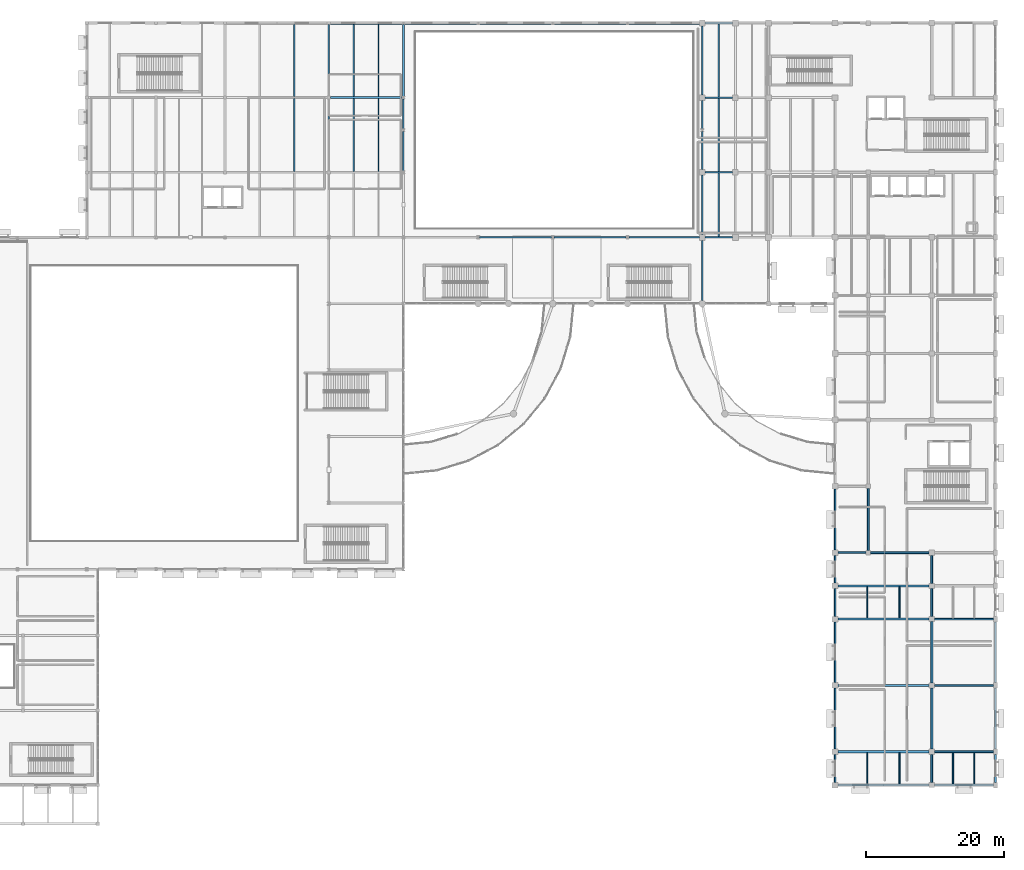
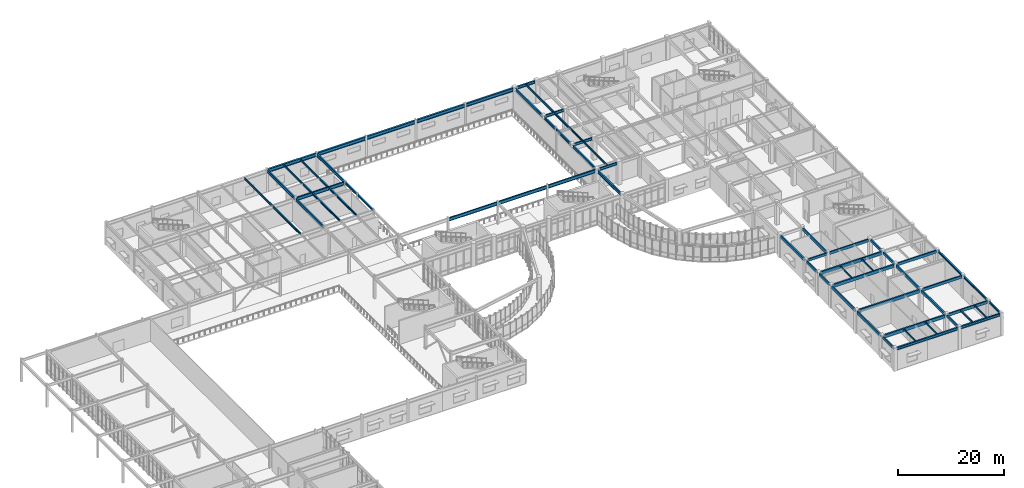
# One storey, part 30 of 72: 64 beams.
"""IFC4 building model written with IfcOpenShell, lengths in metres."""

from ifc_helpers import new_model, si_unit, direction, frame, origin, origin_2d, place, context, subcontext, project, spatial, rectangle, i_section, extrude, material, material_profile, profile_set, type_object, element, save


model = new_model("IFC4")

# Units and contexts
model_context = context("Model", 3, precision=1e-05, world=origin(), true_north=direction((0.0, 1.0)))
body_context = subcontext(model_context, "Body", "Model", "MODEL_VIEW")
ifc_project = project(units=[si_unit("LENGTHUNIT", "METRE"), si_unit("AREAUNIT", "SQUARE_METRE"), si_unit("VOLUMEUNIT", "CUBIC_METRE"), si_unit("PLANEANGLEUNIT", "RADIAN"), si_unit("MASSUNIT", "GRAM", prefix="KILO")], contexts=[model_context])

# Site, building, storey
site_placement = place(None, origin())
site = spatial("IfcSite", under=ifc_project, at=site_placement, CompositionType="ELEMENT")
building_placement = place(site_placement, origin())
building = spatial("IfcBuilding", under=site, at=building_placement, Name="Veldera Park Congress Hotel", CompositionType="ELEMENT")
storey_placement = place(building_placement, frame((0.0, 0.0, 5.39990234375)))
storey = spatial("IfcBuildingStorey", under=building, at=storey_placement, Name="L01", CompositionType="ELEMENT", Elevation=5.39990234375)

# Beams
ifc_material_1 = material(Name="Glulam GL28h (NDS 24F-V4)", Category="wood")
ifc_material_profile_1 = material_profile(ifc_material_1, rectangle(XDim=0.239990234375, YDim=0.5400390625, at=origin_2d()), Name="GL28h 240x540")
ifc_profile_set_1 = profile_set([ifc_material_profile_1], Name="Glulam GL28h (NDS 24F-V4)")
beam_type_1 = type_object("IfcBeamType", Name="BM-GL540", PredefinedType="BEAM", material=ifc_profile_set_1)
beam_1_placement = place(storey_placement, frame((61.199951171875, -18.60009765625, 4.860107421875), z_axis=(1.0, 0.0, 0.0), x_axis=(0.0, 1.0, 0.0)))
element("IfcBeam", 1, at=beam_1_placement, inside=storey, type_object=beam_type_1, Name="L01 Girder BM-GL540 577", PredefinedType="BEAM", context=body_context, shape_type="SweptSolid", body=[
    extrude(rectangle(XDim=0.239990234375, YDim=0.5400390625, at=origin_2d()), origin(), (0.0, 0.0, 1.0), 4.074951171875),
])
for number, where, z_axis, x_axis, name in (
    (2, (60.800048828125, -51.800048828125, 4.860107421875), (0.0, 1.0, 0.0), (-1.0, 0.0, 0.0), "L01 Girder BM-GL540 722"),
    (3, (60.800048828125, -27.800048828125, 4.860107421875), (0.0, 1.0, 0.0), (-1.0, 0.0, 0.0), "L01 Girder BM-GL540 725"),
    (4, (60.800048828125, -23.0, 4.860107421875), (0.0, 1.0, 0.0), (-1.0, 0.0, 0.0), "L01 Girder BM-GL540 726"),
):
    element("IfcBeam", number, at=place(storey_placement, frame(where, z_axis=z_axis, x_axis=x_axis)), inside=storey, type_object=beam_type_1, Name=name, PredefinedType="BEAM", context=body_context, shape_type="SweptSolid", body=[
        extrude(rectangle(XDim=0.239990234375, YDim=0.5400390625, at=origin_2d()), origin(), (0.0, 0.0, 1.0), 4.0),
    ])
for number, where, z_axis, x_axis, name in (
    (5, (74.800048828125, -51.824951171875, 4.860107421875), (0.0, 1.0, 0.0), (-1.0, 0.0, 0.0), "L01 Girder BM-GL540 740"),
    (6, (74.800048828125, -27.824951171875, 4.860107421875), (0.0, 1.0, 0.0), (-1.0, 0.0, 0.0), "L01 Girder BM-GL540 743"),
):
    element("IfcBeam", number, at=place(storey_placement, frame(where, z_axis=z_axis, x_axis=x_axis)), inside=storey, type_object=beam_type_1, Name=name, PredefinedType="BEAM", context=body_context, shape_type="SweptSolid", body=[
        extrude(rectangle(XDim=0.239990234375, YDim=0.5400390625, at=origin_2d()), origin(), (0.0, 0.0, 1.0), 4.050048828125),
    ])
beam_2_placement = place(storey_placement, frame((74.800048828125, -23.02490234375, 4.860107421875), z_axis=(0.0, 1.0, 0.0), x_axis=(-1.0, 0.0, 0.0)))
element("IfcBeam", 7, at=beam_2_placement, inside=storey, type_object=beam_type_1, Name="L01 Girder BM-GL540 744", PredefinedType="BEAM", context=body_context, shape_type="SweptSolid", body=[
    extrude(rectangle(XDim=0.239990234375, YDim=0.5400390625, at=origin_2d()), origin(), (0.0, 0.0, 1.0), 4.0498046875),
])
ifc_material_profile_2 = material_profile(ifc_material_1, rectangle(XDim=0.264892578125, YDim=0.6201171875, at=origin_2d()), Name="GL28h 265x620")
ifc_profile_set_2 = profile_set([ifc_material_profile_2], Name="Glulam GL28h (NDS 24F-V4)")
beam_type_2 = type_object("IfcBeamType", Name="BM-GL620", PredefinedType="BEAM", material=ifc_profile_set_2)
for number, where, z_axis, x_axis, name in (
    (8, (75.175048828125, -47.39990234375, 4.820068359375), (1.0, 0.0, 0.0), (0.0, 1.0, 0.0), "L01 Girder BM-GL620 556"),
    (9, (75.175048828125, -37.800048828125, 4.820068359375), (1.0, 0.0, 0.0), (0.0, 1.0, 0.0), "L01 Girder BM-GL620 561"),
    (10, (75.175048828125, -28.199951171875, 4.820068359375), (1.0, 0.0, 0.0), (0.0, 1.0, 0.0), "L01 Girder BM-GL620 566"),
):
    element("IfcBeam", number, at=place(storey_placement, frame(where, z_axis=z_axis, x_axis=x_axis)), inside=storey, type_object=beam_type_2, Name=name, PredefinedType="BEAM", context=body_context, shape_type="SweptSolid", body=[
        extrude(rectangle(XDim=0.264892578125, YDim=0.6201171875, at=origin_2d()), origin(), (0.0, 0.0, 1.0), 8.550048828125),
    ])
beam_3_placement = place(storey_placement, frame((65.925048828125, -18.60009765625, 4.820068359375), z_axis=(1.0, 0.0, 0.0), x_axis=(0.0, 1.0, 0.0)))
element("IfcBeam", 11, at=beam_3_placement, inside=storey, type_object=beam_type_2, Name="L01 Girder BM-GL620 578", PredefinedType="BEAM", context=body_context, shape_type="SweptSolid", body=[
    extrude(rectangle(XDim=0.264892578125, YDim=0.6201171875, at=origin_2d()), origin(), (0.0, 0.0, 1.0), 8.5),
])
ifc_material_profile_3 = material_profile(ifc_material_1, rectangle(XDim=0.280029296875, YDim=0.639892578125, at=origin_2d()), Name="GL28h 280x640")
ifc_profile_set_3 = profile_set([ifc_material_profile_3], Name="Glulam GL28h (NDS 24F-V4)")
beam_type_3 = type_object("IfcBeamType", Name="BM-GL640", PredefinedType="BEAM", material=ifc_profile_set_3)
beam_4_placement = place(storey_placement, frame((60.800048828125, -47.0, 4.81005859375), z_axis=(0.0, 1.0, 0.0), x_axis=(-1.0, 0.0, 0.0)))
element("IfcBeam", 12, at=beam_4_placement, inside=storey, type_object=beam_type_3, Name="L01 Girder BM-GL640 723", PredefinedType="BEAM", context=body_context, shape_type="SweptSolid", body=[
    extrude(rectangle(XDim=0.280029296875, YDim=0.639892578125, at=origin_2d()), origin(), (0.0, 0.0, 1.0), 8.800048828125),
])
beam_5_placement = place(storey_placement, frame((60.800048828125, -37.39990234375, 4.81005859375), z_axis=(0.0, 1.0, 0.0), x_axis=(-1.0, 0.0, 0.0)))
element("IfcBeam", 13, at=beam_5_placement, inside=storey, type_object=beam_type_3, Name="L01 Girder BM-GL640 724", PredefinedType="BEAM", context=body_context, shape_type="SweptSolid", body=[
    extrude(rectangle(XDim=0.280029296875, YDim=0.639892578125, at=origin_2d()), origin(), (0.0, 0.0, 1.0), 8.7998046875),
])
beam_6_placement = place(storey_placement, frame((60.800048828125, -18.199951171875, 4.81005859375), z_axis=(0.0, 1.0, 0.0), x_axis=(-1.0, 0.0, 0.0)))
element("IfcBeam", 14, at=beam_6_placement, inside=storey, type_object=beam_type_3, Name="L01 Girder BM-GL640 727", PredefinedType="BEAM", context=body_context, shape_type="SweptSolid", body=[
    extrude(rectangle(XDim=0.280029296875, YDim=0.639892578125, at=origin_2d()), origin(), (0.0, 0.0, 1.0), 8.800048828125),
])
beam_7_placement = place(storey_placement, frame((65.60009765625, -18.27490234375, 4.81005859375), z_axis=(0.0, 1.0, 0.0), x_axis=(-1.0, 0.0, 0.0)))
element("IfcBeam", 15, at=beam_7_placement, inside=storey, type_object=beam_type_3, Name="L01 Girder BM-GL640 734", PredefinedType="BEAM", context=body_context, shape_type="SweptSolid", body=[
    extrude(rectangle(XDim=0.280029296875, YDim=0.639892578125, at=origin_2d()), origin(), (0.0, 0.0, 1.0), 8.949951171875),
])
beam_8_placement = place(storey_placement, frame((74.800048828125, -47.02490234375, 4.81005859375), z_axis=(0.0, 1.0, 0.0), x_axis=(-1.0, 0.0, 0.0)))
element("IfcBeam", 16, at=beam_8_placement, inside=storey, type_object=beam_type_3, Name="L01 Girder BM-GL640 741", PredefinedType="BEAM", context=body_context, shape_type="SweptSolid", body=[
    extrude(rectangle(XDim=0.280029296875, YDim=0.639892578125, at=origin_2d()), origin(), (0.0, 0.0, 1.0), 8.849853515625),
])
beam_9_placement = place(storey_placement, frame((74.800048828125, -37.425048828125, 4.81005859375), z_axis=(0.0, 1.0, 0.0), x_axis=(-1.0, 0.0, 0.0)))
element("IfcBeam", 17, at=beam_9_placement, inside=storey, type_object=beam_type_3, Name="L01 Girder BM-GL640 742", PredefinedType="BEAM", context=body_context, shape_type="SweptSolid", body=[
    extrude(rectangle(XDim=0.280029296875, YDim=0.639892578125, at=origin_2d()), origin(), (0.0, 0.0, 1.0), 8.85009765625),
])
ifc_material_profile_4 = material_profile(ifc_material_1, rectangle(XDim=0.31494140625, YDim=0.719970703125, at=origin_2d()), Name="GL28h 315x720")
ifc_profile_set_4 = profile_set([ifc_material_profile_4], Name="Glulam GL28h (NDS 24F-V4)")
beam_type_4 = type_object("IfcBeamType", Name="BM-GL720", PredefinedType="BEAM", material=ifc_profile_set_4)
for number, where, z_axis, x_axis, name in (
    (18, (61.199951171875, -47.39990234375, 4.77001953125), (1.0, 0.0, 0.0), (0.0, 1.0, 0.0), "L01 Girder BM-GL720 555"),
    (19, (61.199951171875, -37.800048828125, 4.77001953125), (1.0, 0.0, 0.0), (0.0, 1.0, 0.0), "L01 Girder BM-GL720 560"),
    (20, (61.199951171875, -28.199951171875, 4.77001953125), (1.0, 0.0, 0.0), (0.0, 1.0, 0.0), "L01 Girder BM-GL720 565"),
    (21, (61.199951171875, -23.39990234375, 4.77001953125), (1.0, 0.0, 0.0), (0.0, 1.0, 0.0), "L01 Girder BM-GL720 567"),
):
    element("IfcBeam", number, at=place(storey_placement, frame(where, z_axis=z_axis, x_axis=x_axis)), inside=storey, type_object=beam_type_4, Name=name, PredefinedType="BEAM", context=body_context, shape_type="SweptSolid", body=[
        extrude(rectangle(XDim=0.31494140625, YDim=0.719970703125, at=origin_2d()), origin(), (0.0, 0.0, 1.0), 13.22509765625),
    ])
ifc_material_2 = material(Name="Steel ASTM A992 Gr.50", Category="steel")
ifc_material_profile_5 = material_profile(ifc_material_2, i_section(OverallWidth=0.2119140625, OverallDepth=0.5439453125, WebThickness=0.01318359375, FlangeThickness=0.021240234375, at=origin_2d()), Name="W21X83")
ifc_profile_set_5 = profile_set([ifc_material_profile_5], Name="Steel ASTM A992 Gr.50")
beam_type_5 = type_object("IfcBeamType", Name="BM-W21C", PredefinedType="BEAM", material=ifc_profile_set_5)
beam_10_placement = place(storey_placement, frame((-1.60009765625, 36.590576171875, 4.858154296875), z_axis=(0.0, 1.0, 0.0), x_axis=(-1.0, 0.0, 0.0)))
element("IfcBeam", 22, at=beam_10_placement, inside=storey, type_object=beam_type_5, Name="L01 Girder BM-W21C 706", PredefinedType="BEAM", context=body_context, shape_type="SweptSolid", body=[
    extrude(i_section(OverallWidth=0.2119140625, OverallDepth=0.5439453125, WebThickness=0.01318359375, FlangeThickness=0.021240234375, at=origin_2d()), origin(), (0.0, 0.0, 1.0), 5.718994140625),
])
beam_11_placement = place(storey_placement, frame((-1.60009765625, 42.6904296875, 4.858154296875), z_axis=(0.0, 1.0, 0.0), x_axis=(-1.0, 0.0, 0.0)))
element("IfcBeam", 23, at=beam_11_placement, inside=storey, type_object=beam_type_5, Name="L01 Girder BM-W21C 707", PredefinedType="BEAM", context=body_context, shape_type="SweptSolid", body=[
    extrude(i_section(OverallWidth=0.2119140625, OverallDepth=0.5439453125, WebThickness=0.01318359375, FlangeThickness=0.021240234375, at=origin_2d()), origin(), (0.0, 0.0, 1.0), 4.319091796875),
])
beam_12_placement = place(storey_placement, frame((41.60009765625, 36.800048828125, 4.858154296875), z_axis=(0.0, 1.0, 0.0), x_axis=(-1.0, 0.0, 0.0)))
element("IfcBeam", 24, at=beam_12_placement, inside=storey, type_object=beam_type_5, Name="L01 Girder BM-W21C 712", PredefinedType="BEAM", context=body_context, shape_type="SweptSolid", body=[
    extrude(i_section(OverallWidth=0.2119140625, OverallDepth=0.5439453125, WebThickness=0.01318359375, FlangeThickness=0.021240234375, at=origin_2d()), origin(), (0.0, 0.0, 1.0), 5.509521484375),
])
beam_13_placement = place(storey_placement, frame((41.60009765625, 42.6904296875, 4.858154296875), z_axis=(0.0, 1.0, 0.0), x_axis=(-1.0, 0.0, 0.0)))
element("IfcBeam", 25, at=beam_13_placement, inside=storey, type_object=beam_type_5, Name="L01 Girder BM-W21C 713", PredefinedType="BEAM", context=body_context, shape_type="SweptSolid", body=[
    extrude(i_section(OverallWidth=0.2119140625, OverallDepth=0.5439453125, WebThickness=0.01318359375, FlangeThickness=0.021240234375, at=origin_2d()), origin(), (0.0, 0.0, 1.0), 4.109619140625),
])
ifc_material_profile_6 = material_profile(ifc_material_2, i_section(OverallWidth=0.22900390625, OverallDepth=0.612060546875, WebThickness=0.011962890625, FlangeThickness=0.01953125, at=origin_2d()), Name="W24X84")
ifc_profile_set_6 = profile_set([ifc_material_profile_6], Name="Steel ASTM A992 Gr.50")
beam_type_6 = type_object("IfcBeamType", Name="BM-W24", PredefinedType="BEAM", material=ifc_profile_set_6)
beam_14_placement = place(storey_placement, frame((42.02490234375, 27.0, 4.82421875), z_axis=(1.0, 0.0, 0.0), x_axis=(0.0, 1.0, 0.0)))
element("IfcBeam", 26, at=beam_14_placement, inside=storey, type_object=beam_type_6, Name="L01 Girder BM-W24 621", PredefinedType="BEAM", context=body_context, shape_type="SweptSolid", body=[
    extrude(i_section(OverallWidth=0.22900390625, OverallDepth=0.612060546875, WebThickness=0.011962890625, FlangeThickness=0.01953125, at=origin_2d()), origin(), (0.0, 0.0, 1.0), 3.9501953125),
])
for number, where, z_axis, x_axis, name in (
    (27, (42.0, 36.39990234375, 4.82421875), (1.0, 0.0, 0.0), (0.0, 1.0, 0.0), "L01 Girder BM-W24 631"),
    (28, (42.0, 47.199951171875, 4.82421875), (1.0, 0.0, 0.0), (0.0, 1.0, 0.0), "L01 Girder BM-W24 641"),
):
    element("IfcBeam", number, at=place(storey_placement, frame(where, z_axis=z_axis, x_axis=x_axis)), inside=storey, type_object=beam_type_6, Name=name, PredefinedType="BEAM", context=body_context, shape_type="SweptSolid", body=[
        extrude(i_section(OverallWidth=0.22900390625, OverallDepth=0.612060546875, WebThickness=0.011962890625, FlangeThickness=0.01953125, at=origin_2d()), origin(), (0.0, 0.0, 1.0), 4.0),
    ])
ifc_material_profile_7 = material_profile(ifc_material_2, i_section(OverallWidth=0.22998046875, OverallDepth=0.616943359375, WebThickness=0.01318359375, FlangeThickness=0.022216796875, at=origin_2d()), Name="W24X94")
ifc_profile_set_7 = profile_set([ifc_material_profile_7], Name="Steel ASTM A992 Gr.50")
beam_type_7 = type_object("IfcBeamType", Name="BM-W24B", PredefinedType="BEAM", material=ifc_profile_set_7)
beam_15_placement = place(storey_placement, frame((41.60009765625, 27.425048828125, 4.821533203125), z_axis=(0.0, 1.0, 0.0), x_axis=(-1.0, 0.0, 0.0)))
element("IfcBeam", 29, at=beam_15_placement, inside=storey, type_object=beam_type_7, Name="L01 Girder BM-W24B 711", PredefinedType="BEAM", context=body_context, shape_type="SweptSolid", body=[
    extrude(i_section(OverallWidth=0.22998046875, OverallDepth=0.616943359375, WebThickness=0.01318359375, FlangeThickness=0.022216796875, at=origin_2d()), origin(), (0.0, 0.0, 1.0), 8.574951171875),
])
ifc_material_profile_8 = material_profile(ifc_material_2, i_section(OverallWidth=0.323974609375, OverallDepth=0.612060546875, WebThickness=0.0126953125, FlangeThickness=0.01904296875, at=origin_2d()), Name="W24X104")
ifc_profile_set_8 = profile_set([ifc_material_profile_8], Name="Steel ASTM A992 Gr.50")
beam_type_8 = type_object("IfcBeamType", Name="BM-W24E", PredefinedType="BEAM", material=ifc_profile_set_8)
beam_16_placement = place(storey_placement, frame((42.02490234375, 58.0, 4.82421875), z_axis=(1.0, 0.0, 0.0), x_axis=(0.0, 1.0, 0.0)))
element("IfcBeam", 30, at=beam_16_placement, inside=storey, type_object=beam_type_8, Name="L01 Girder BM-W24E 653", PredefinedType="BEAM", context=body_context, shape_type="SweptSolid", body=[
    extrude(i_section(OverallWidth=0.323974609375, OverallDepth=0.612060546875, WebThickness=0.0126953125, FlangeThickness=0.01904296875, at=origin_2d()), origin(), (0.0, 0.0, 1.0), 3.9501953125),
])
ifc_material_profile_9 = material_profile(ifc_material_2, i_section(OverallWidth=0.256103515625, OverallDepth=0.693115234375, WebThickness=0.014404296875, FlangeThickness=0.023681640625, at=origin_2d()), Name="W27X114")
ifc_profile_set_9 = profile_set([ifc_material_profile_9], Name="Steel ASTM A992 Gr.50")
beam_type_9 = type_object("IfcBeamType", Name="BM-W27", PredefinedType="BEAM", material=ifc_profile_set_9)
beam_17_placement = place(storey_placement, frame((-12.39990234375, 36.625, 4.78369140625), z_axis=(0.0, 1.0, 0.0), x_axis=(-1.0, 0.0, 0.0)))
element("IfcBeam", 31, at=beam_17_placement, inside=storey, type_object=beam_type_9, Name="L01 Girder BM-W27 698", PredefinedType="BEAM", context=body_context, shape_type="SweptSolid", body=[
    extrude(i_section(OverallWidth=0.256103515625, OverallDepth=0.693115234375, WebThickness=0.014404296875, FlangeThickness=0.023681640625, at=origin_2d()), origin(), (0.0, 0.0, 1.0), 10.35009765625),
])
beam_18_placement = place(storey_placement, frame((-12.39990234375, 47.425048828125, 4.78369140625), z_axis=(0.0, 1.0, 0.0), x_axis=(-1.0, 0.0, 0.0)))
element("IfcBeam", 32, at=beam_18_placement, inside=storey, type_object=beam_type_9, Name="L01 Girder BM-W27 699", PredefinedType="BEAM", context=body_context, shape_type="SweptSolid", body=[
    extrude(i_section(OverallWidth=0.256103515625, OverallDepth=0.693115234375, WebThickness=0.014404296875, FlangeThickness=0.023681640625, at=origin_2d()), origin(), (0.0, 0.0, 1.0), 10.349853515625),
])
beam_19_placement = place(storey_placement, frame((-1.60009765625, 47.390380859375, 4.78369140625), z_axis=(0.0, 1.0, 0.0), x_axis=(-1.0, 0.0, 0.0)))
element("IfcBeam", 33, at=beam_19_placement, inside=storey, type_object=beam_type_9, Name="L01 Girder BM-W27 708", PredefinedType="BEAM", context=body_context, shape_type="SweptSolid", body=[
    extrude(i_section(OverallWidth=0.256103515625, OverallDepth=0.693115234375, WebThickness=0.014404296875, FlangeThickness=0.023681640625, at=origin_2d()), origin(), (0.0, 0.0, 1.0), 10.4130859375),
])
beam_20_placement = place(storey_placement, frame((41.60009765625, 17.875, 4.78369140625), z_axis=(0.0, 1.0, 0.0), x_axis=(-1.0, 0.0, 0.0)))
element("IfcBeam", 34, at=beam_20_placement, inside=storey, type_object=beam_type_9, Name="L01 Girder BM-W27 710", PredefinedType="BEAM", context=body_context, shape_type="SweptSolid", body=[
    extrude(i_section(OverallWidth=0.256103515625, OverallDepth=0.693115234375, WebThickness=0.014404296875, FlangeThickness=0.023681640625, at=origin_2d()), origin(), (0.0, 0.0, 1.0), 8.699951171875),
])
beam_21_placement = place(storey_placement, frame((41.60009765625, 47.60009765625, 4.78369140625), z_axis=(0.0, 1.0, 0.0), x_axis=(-1.0, 0.0, 0.0)))
element("IfcBeam", 35, at=beam_21_placement, inside=storey, type_object=beam_type_9, Name="L01 Girder BM-W27 714", PredefinedType="BEAM", context=body_context, shape_type="SweptSolid", body=[
    extrude(i_section(OverallWidth=0.256103515625, OverallDepth=0.693115234375, WebThickness=0.014404296875, FlangeThickness=0.023681640625, at=origin_2d()), origin(), (0.0, 0.0, 1.0), 9.974853515625),
])
ifc_material_profile_10 = material_profile(ifc_material_2, i_section(OverallWidth=0.26708984375, OverallDepth=0.779052734375, WebThickness=0.0166015625, FlangeThickness=0.030029296875, at=origin_2d()), Name="W30X148")
ifc_profile_set_10 = profile_set([ifc_material_profile_10], Name="Steel ASTM A992 Gr.50")
beam_type_10 = type_object("IfcBeamType", Name="BM-W30", PredefinedType="BEAM", material=ifc_profile_set_10)
for number, where, z_axis, x_axis, name in (
    (36, (9.3984375, 27.0, 4.740478515625), (1.0, 0.0, 0.0), (0.0, 1.0, 0.0), "L01 Girder BM-W30 618"),
    (37, (20.198486328125, 27.0, 4.740478515625), (1.0, 0.0, 0.0), (0.0, 1.0, 0.0), "L01 Girder BM-W30 619"),
):
    element("IfcBeam", number, at=place(storey_placement, frame(where, z_axis=z_axis, x_axis=x_axis)), inside=storey, type_object=beam_type_10, Name=name, PredefinedType="BEAM", context=body_context, shape_type="SweptSolid", body=[
        extrude(i_section(OverallWidth=0.26708984375, OverallDepth=0.779052734375, WebThickness=0.0166015625, FlangeThickness=0.030029296875, at=origin_2d()), origin(), (0.0, 0.0, 1.0), 10.403076171875),
    ])
beam_22_placement = place(storey_placement, frame((30.99853515625, 27.0, 4.740478515625), z_axis=(1.0, 0.0, 0.0), x_axis=(0.0, 1.0, 0.0)))
element("IfcBeam", 38, at=beam_22_placement, inside=storey, type_object=beam_type_10, Name="L01 Girder BM-W30 620", PredefinedType="BEAM", context=body_context, shape_type="SweptSolid", body=[
    extrude(i_section(OverallWidth=0.26708984375, OverallDepth=0.779052734375, WebThickness=0.0166015625, FlangeThickness=0.030029296875, at=origin_2d()), origin(), (0.0, 0.0, 1.0), 10.176513671875),
])
beam_23_placement = place(storey_placement, frame((-12.175048828125, 47.199951171875, 4.740478515625), z_axis=(1.0, 0.0, 0.0), x_axis=(0.0, 1.0, 0.0)))
element("IfcBeam", 39, at=beam_23_placement, inside=storey, type_object=beam_type_10, Name="L01 Girder BM-W30 640", PredefinedType="BEAM", context=body_context, shape_type="SweptSolid", body=[
    extrude(i_section(OverallWidth=0.26708984375, OverallDepth=0.779052734375, WebThickness=0.0166015625, FlangeThickness=0.030029296875, at=origin_2d()), origin(), (0.0, 0.0, 1.0), 10.376953125),
])
ifc_material_profile_11 = material_profile(ifc_material_2, i_section(OverallWidth=0.382080078125, OverallDepth=0.779052734375, WebThickness=0.01806640625, FlangeThickness=0.030029296875, at=origin_2d()), Name="W30X191")
ifc_profile_set_11 = profile_set([ifc_material_profile_11], Name="Steel ASTM A992 Gr.50")
beam_type_11 = type_object("IfcBeamType", Name="BM-W30E", PredefinedType="BEAM", material=ifc_profile_set_11)
beam_24_placement = place(storey_placement, frame((-12.175048828125, 58.0, 4.740478515625), z_axis=(1.0, 0.0, 0.0), x_axis=(0.0, 1.0, 0.0)))
element("IfcBeam", 40, at=beam_24_placement, inside=storey, type_object=beam_type_11, Name="L01 Girder BM-W30E 648", PredefinedType="BEAM", context=body_context, shape_type="SweptSolid", body=[
    extrude(i_section(OverallWidth=0.382080078125, OverallDepth=0.779052734375, WebThickness=0.01806640625, FlangeThickness=0.030029296875, at=origin_2d()), origin(), (0.0, 0.0, 1.0), 10.37548828125),
])
beam_25_placement = place(storey_placement, frame((-1.400390625, 58.0, 4.740478515625), z_axis=(1.0, 0.0, 0.0), x_axis=(0.0, 1.0, 0.0)))
element("IfcBeam", 41, at=beam_25_placement, inside=storey, type_object=beam_type_11, Name="L01 Girder BM-W30E 649", PredefinedType="BEAM", context=body_context, shape_type="SweptSolid", body=[
    extrude(i_section(OverallWidth=0.382080078125, OverallDepth=0.779052734375, WebThickness=0.01806640625, FlangeThickness=0.030029296875, at=origin_2d()), origin(), (0.0, 0.0, 1.0), 10.40087890625),
])
for number, where, z_axis, x_axis, name in (
    (42, (9.3994140625, 58.0, 4.740478515625), (1.0, 0.0, 0.0), (0.0, 1.0, 0.0), "L01 Girder BM-W30E 650"),
    (43, (20.199462890625, 58.0, 4.740478515625), (1.0, 0.0, 0.0), (0.0, 1.0, 0.0), "L01 Girder BM-W30E 651"),
):
    element("IfcBeam", number, at=place(storey_placement, frame(where, z_axis=z_axis, x_axis=x_axis)), inside=storey, type_object=beam_type_11, Name=name, PredefinedType="BEAM", context=body_context, shape_type="SweptSolid", body=[
        extrude(i_section(OverallWidth=0.382080078125, OverallDepth=0.779052734375, WebThickness=0.01806640625, FlangeThickness=0.030029296875, at=origin_2d()), origin(), (0.0, 0.0, 1.0), 10.401123046875),
    ])
beam_26_placement = place(storey_placement, frame((30.99951171875, 58.0, 4.740478515625), z_axis=(1.0, 0.0, 0.0), x_axis=(0.0, 1.0, 0.0)))
element("IfcBeam", 44, at=beam_26_placement, inside=storey, type_object=beam_type_11, Name="L01 Girder BM-W30E 652", PredefinedType="BEAM", context=body_context, shape_type="SweptSolid", body=[
    extrude(i_section(OverallWidth=0.382080078125, OverallDepth=0.779052734375, WebThickness=0.01806640625, FlangeThickness=0.030029296875, at=origin_2d()), origin(), (0.0, 0.0, 1.0), 10.175537109375),
])
ifc_material_profile_12 = material_profile(ifc_material_1, rectangle(XDim=0.179931640625, YDim=0.360107421875, at=origin_2d()), Name="GL28h 180x360")
ifc_profile_set_12 = profile_set([ifc_material_profile_12], Name="Glulam GL28h (NDS 24F-V4)")
beam_type_12 = type_object("IfcBeamType", Name="JST-GL360", PredefinedType="JOIST", material=ifc_profile_set_12)
for number, where, z_axis, x_axis, name in (
    (45, (65.466796875, -52.0380859375, 4.9501953125), (0.0, 1.0, 0.0), (-1.0, 0.0, 0.0), "L01 Floor Joist JST-GL360 768"),
    (46, (70.13330078125, -52.0380859375, 4.9501953125), (0.0, 1.0, 0.0), (-1.0, 0.0, 0.0), "L01 Floor Joist JST-GL360 769"),
):
    element("IfcBeam", number, at=place(storey_placement, frame(where, z_axis=z_axis, x_axis=x_axis)), inside=storey, type_object=beam_type_12, Name=name, PredefinedType="JOIST", context=body_context, shape_type="SweptSolid", body=[
        extrude(rectangle(XDim=0.179931640625, YDim=0.360107421875, at=origin_2d()), origin(), (0.0, 0.0, 1.0), 4.48046875),
    ])
for number, where, z_axis, x_axis, name in (
    (47, (77.86669921875, -52.0380859375, 4.9501953125), (0.0, 1.0, 0.0), (-1.0, 0.0, 0.0), "L01 Floor Joist JST-GL360 770"),
    (48, (80.933349609375, -52.0380859375, 4.9501953125), (0.0, 1.0, 0.0), (-1.0, 0.0, 0.0), "L01 Floor Joist JST-GL360 771"),
):
    element("IfcBeam", number, at=place(storey_placement, frame(where, z_axis=z_axis, x_axis=x_axis)), inside=storey, type_object=beam_type_12, Name=name, PredefinedType="JOIST", context=body_context, shape_type="SweptSolid", body=[
        extrude(rectangle(XDim=0.179931640625, YDim=0.360107421875, at=origin_2d()), origin(), (0.0, 0.0, 1.0), 4.505615234375),
    ])
for number, where, z_axis, x_axis, name in (
    (49, (65.466796875, -28.04248046875, 4.9501953125), (0.0, 1.0, 0.0), (-1.0, 0.0, 0.0), "L01 Floor Joist JST-GL360 772"),
    (50, (70.13330078125, -28.04248046875, 4.9501953125), (0.0, 1.0, 0.0), (-1.0, 0.0, 0.0), "L01 Floor Joist JST-GL360 773"),
):
    element("IfcBeam", number, at=place(storey_placement, frame(where, z_axis=z_axis, x_axis=x_axis)), inside=storey, type_object=beam_type_12, Name=name, PredefinedType="JOIST", context=body_context, shape_type="SweptSolid", body=[
        extrude(rectangle(XDim=0.179931640625, YDim=0.360107421875, at=origin_2d()), origin(), (0.0, 0.0, 1.0), 4.48486328125),
    ])
ifc_material_profile_13 = material_profile(ifc_material_2, i_section(OverallWidth=0.19189453125, OverallDepth=0.462890625, WebThickness=0.010498046875, FlangeThickness=0.017578125, at=origin_2d()), Name="W18X60")
ifc_profile_set_13 = profile_set([ifc_material_profile_13], Name="Steel ASTM A992 Gr.50")
beam_type_13 = type_object("IfcBeamType", Name="JST-W18C", PredefinedType="JOIST", material=ifc_profile_set_13)
beam_27_placement = place(storey_placement, frame((44.0, 27.114501953125, 4.898681640625), z_axis=(0.0, 1.0, 0.0), x_axis=(-1.0, 0.0, 0.0)))
element("IfcBeam", 51, at=beam_27_placement, inside=storey, type_object=beam_type_13, Name="L01 Floor Joist JST-W18C 789", PredefinedType="JOIST", context=body_context, shape_type="SweptSolid", body=[
    extrude(i_section(OverallWidth=0.19189453125, OverallDepth=0.462890625, WebThickness=0.010498046875, FlangeThickness=0.017578125, at=origin_2d()), origin(), (0.0, 0.0, 1.0), 9.1708984375),
])
for number, where, z_axis, x_axis, name in (
    (52, (-17.39990234375, 36.533447265625, 4.898681640625), (0.0, 1.0, 0.0), (-1.0, 0.0, 0.0), "L01 Floor Joist JST-W18C 801"),
    (53, (-8.800048828125, 36.533447265625, 4.898681640625), (0.0, 1.0, 0.0), (-1.0, 0.0, 0.0), "L01 Floor Joist JST-W18C 802"),
    (54, (-5.199951171875, 36.533447265625, 4.898681640625), (0.0, 1.0, 0.0), (-1.0, 0.0, 0.0), "L01 Floor Joist JST-W18C 803"),
):
    element("IfcBeam", number, at=place(storey_placement, frame(where, z_axis=z_axis, x_axis=x_axis)), inside=storey, type_object=beam_type_13, Name=name, PredefinedType="JOIST", context=body_context, shape_type="SweptSolid", body=[
        extrude(i_section(OverallWidth=0.19189453125, OverallDepth=0.462890625, WebThickness=0.010498046875, FlangeThickness=0.017578125, at=origin_2d()), origin(), (0.0, 0.0, 1.0), 10.532958984375),
    ])
beam_28_placement = place(storey_placement, frame((44.0, 36.514404296875, 4.898681640625), z_axis=(0.0, 1.0, 0.0), x_axis=(-1.0, 0.0, 0.0)))
element("IfcBeam", 55, at=beam_28_placement, inside=storey, type_object=beam_type_13, Name="L01 Floor Joist JST-W18C 804", PredefinedType="JOIST", context=body_context, shape_type="SweptSolid", body=[
    extrude(i_section(OverallWidth=0.19189453125, OverallDepth=0.462890625, WebThickness=0.010498046875, FlangeThickness=0.017578125, at=origin_2d()), origin(), (0.0, 0.0, 1.0), 10.571044921875),
])
for number, where, z_axis, x_axis, name in (
    (56, (-17.39990234375, 47.33349609375, 4.898681640625), (0.0, 1.0, 0.0), (-1.0, 0.0, 0.0), "L01 Floor Joist JST-W18C 811"),
    (57, (-8.800048828125, 47.33349609375, 4.898681640625), (0.0, 1.0, 0.0), (-1.0, 0.0, 0.0), "L01 Floor Joist JST-W18C 812"),
    (58, (-5.199951171875, 47.33349609375, 4.898681640625), (0.0, 1.0, 0.0), (-1.0, 0.0, 0.0), "L01 Floor Joist JST-W18C 813"),
):
    element("IfcBeam", number, at=place(storey_placement, frame(where, z_axis=z_axis, x_axis=x_axis)), inside=storey, type_object=beam_type_13, Name=name, PredefinedType="JOIST", context=body_context, shape_type="SweptSolid", body=[
        extrude(i_section(OverallWidth=0.19189453125, OverallDepth=0.462890625, WebThickness=0.010498046875, FlangeThickness=0.017578125, at=origin_2d()), origin(), (0.0, 0.0, 1.0), 10.4755859375),
    ])
beam_29_placement = place(storey_placement, frame((44.0, 47.314453125, 4.898681640625), z_axis=(0.0, 1.0, 0.0), x_axis=(-1.0, 0.0, 0.0)))
element("IfcBeam", 59, at=beam_29_placement, inside=storey, type_object=beam_type_13, Name="L01 Floor Joist JST-W18C 814", PredefinedType="JOIST", context=body_context, shape_type="SweptSolid", body=[
    extrude(i_section(OverallWidth=0.19189453125, OverallDepth=0.462890625, WebThickness=0.010498046875, FlangeThickness=0.017578125, at=origin_2d()), origin(), (0.0, 0.0, 1.0), 10.5234375),
])
ifc_material_profile_14 = material_profile(ifc_material_2, i_section(OverallWidth=0.280029296875, OverallDepth=0.462890625, WebThickness=0.0107421875, FlangeThickness=0.017333984375, at=origin_2d()), Name="W18X76")
ifc_profile_set_14 = profile_set([ifc_material_profile_14], Name="Steel ASTM A992 Gr.50")
beam_type_14 = type_object("IfcBeamType", Name="SPN-W18E", PredefinedType="SPANDREL", material=ifc_profile_set_14)
beam_30_placement = place(storey_placement, frame((84.0, -51.800048828125, 4.898681640625), z_axis=(0.0, 1.0, 0.0), x_axis=(-1.0, 0.0, 0.0)))
element("IfcBeam", 60, at=beam_30_placement, inside=storey, type_object=beam_type_14, Name="L01 Girder SPN-W18E 749", PredefinedType="SPANDREL", context=body_context, shape_type="SweptSolid", body=[
    extrude(i_section(OverallWidth=0.280029296875, OverallDepth=0.462890625, WebThickness=0.0107421875, FlangeThickness=0.017333984375, at=origin_2d()), origin(), (0.0, 0.0, 1.0), 4.0),
])
beam_31_placement = place(storey_placement, frame((84.0, -47.0, 4.898681640625), z_axis=(0.0, 1.0, 0.0), x_axis=(-1.0, 0.0, 0.0)))
element("IfcBeam", 61, at=beam_31_placement, inside=storey, type_object=beam_type_14, Name="L01 Girder SPN-W18E 750", PredefinedType="SPANDREL", context=body_context, shape_type="SweptSolid", body=[
    extrude(i_section(OverallWidth=0.280029296875, OverallDepth=0.462890625, WebThickness=0.0107421875, FlangeThickness=0.017333984375, at=origin_2d()), origin(), (0.0, 0.0, 1.0), 8.800048828125),
])
beam_32_placement = place(storey_placement, frame((84.0, -37.39990234375, 4.898681640625), z_axis=(0.0, 1.0, 0.0), x_axis=(-1.0, 0.0, 0.0)))
element("IfcBeam", 62, at=beam_32_placement, inside=storey, type_object=beam_type_14, Name="L01 Girder SPN-W18E 751", PredefinedType="SPANDREL", context=body_context, shape_type="SweptSolid", body=[
    extrude(i_section(OverallWidth=0.280029296875, OverallDepth=0.462890625, WebThickness=0.0107421875, FlangeThickness=0.017333984375, at=origin_2d()), origin(), (0.0, 0.0, 1.0), 8.7998046875),
])
ifc_material_profile_15 = material_profile(ifc_material_2, i_section(OverallWidth=0.323974609375, OverallDepth=0.612060546875, WebThickness=0.0126953125, FlangeThickness=0.01904296875, at=origin_2d()), Name="W24X104")
ifc_profile_set_15 = profile_set([ifc_material_profile_15], Name="Steel ASTM A992 Gr.50")
beam_type_15 = type_object("IfcBeamType", Name="SPN-W24E", PredefinedType="SPANDREL", material=ifc_profile_set_15)
beam_33_placement = place(storey_placement, frame((61.199951171875, -52.199951171875, 4.82421875), z_axis=(1.0, 0.0, 0.0), x_axis=(0.0, 1.0, 0.0)))
element("IfcBeam", 63, at=beam_33_placement, inside=storey, type_object=beam_type_15, Name="L01 Girder SPN-W24E 553", PredefinedType="SPANDREL", context=body_context, shape_type="SweptSolid", body=[
    extrude(i_section(OverallWidth=0.323974609375, OverallDepth=0.612060546875, WebThickness=0.0126953125, FlangeThickness=0.01904296875, at=origin_2d()), origin(), (0.0, 0.0, 1.0), 13.22509765625),
])
beam_34_placement = place(storey_placement, frame((75.175048828125, -52.199951171875, 4.82421875), z_axis=(1.0, 0.0, 0.0), x_axis=(0.0, 1.0, 0.0)))
element("IfcBeam", 64, at=beam_34_placement, inside=storey, type_object=beam_type_15, Name="L01 Girder SPN-W24E 554", PredefinedType="SPANDREL", context=body_context, shape_type="SweptSolid", body=[
    extrude(i_section(OverallWidth=0.323974609375, OverallDepth=0.612060546875, WebThickness=0.0126953125, FlangeThickness=0.01904296875, at=origin_2d()), origin(), (0.0, 0.0, 1.0), 8.550048828125),
])

save(model, "model.ifc")
